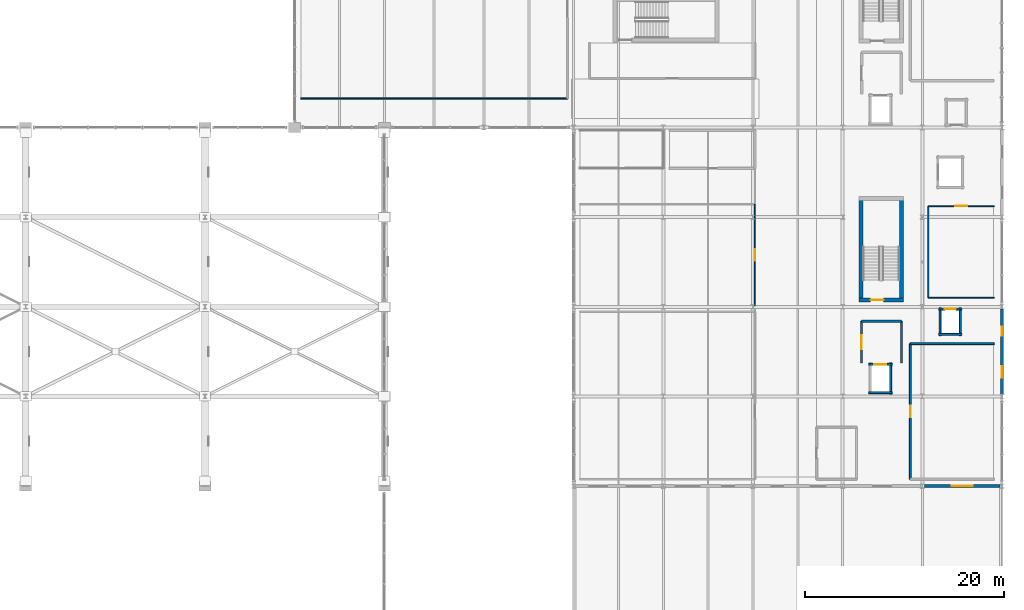
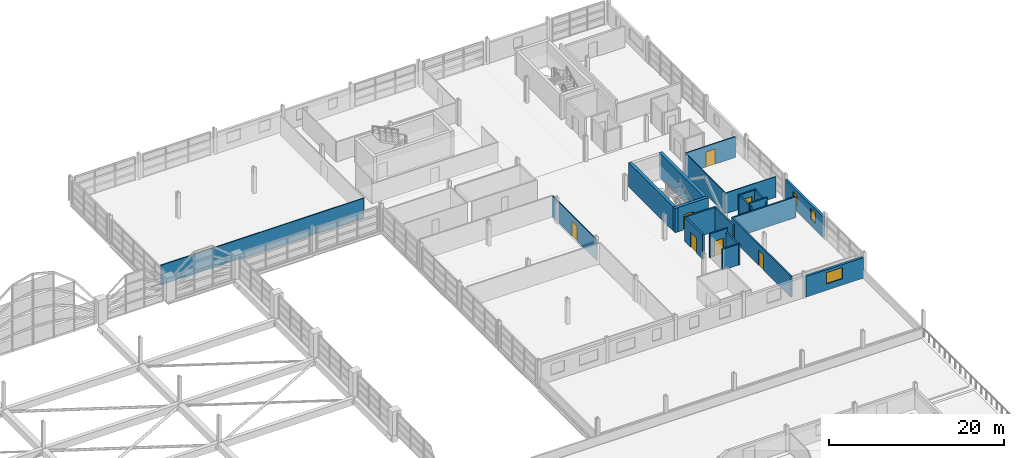
# One storey, part 101 of 116: 22 walls, 7 doors, 3 windows, 10 openings.
"""IFC4 building model written with IfcOpenShell, lengths in metres."""

from ifc_helpers import new_model, si_unit, direction, frame, frame_2d, origin, place, context, subcontext, project, spatial, rectangle, extrude, material, layer, layer_set, type_object, element, fill, save


model = new_model("IFC4")

# Units and contexts
model_context = context("Model", 3, precision=1e-05, world=origin(), true_north=direction((0.0, 1.0)))
body_context = subcontext(model_context, "Body", "Model", "MODEL_VIEW")
ifc_project = project(units=[si_unit("LENGTHUNIT", "METRE"), si_unit("AREAUNIT", "SQUARE_METRE"), si_unit("VOLUMEUNIT", "CUBIC_METRE"), si_unit("PLANEANGLEUNIT", "RADIAN"), si_unit("MASSUNIT", "GRAM", prefix="KILO")], contexts=[model_context])

# Site, building, storey
site_placement = place(None, origin())
site = spatial("IfcSite", under=ifc_project, at=site_placement, CompositionType="ELEMENT")
building_placement = place(site_placement, origin())
building = spatial("IfcBuilding", under=site, at=building_placement, Name="Chuanluo Vaults Station", CompositionType="ELEMENT")
storey_placement = place(building_placement, frame((0.0, 0.0, 10.800048828125)))
storey = spatial("IfcBuildingStorey", under=building, at=storey_placement, Name="L02", CompositionType="ELEMENT", Elevation=10.800048828125)

# Walls
ifc_material_1 = material(Name="Concrete C50", Category="concrete")
ifc_layer_1 = layer(ifc_material_1, 0.39990234375)
ifc_layer_set_1 = layer_set([ifc_layer_1], Name="Concrete C50")
wall_type_1 = type_object("IfcWallType", Name="WL-COR-400", PredefinedType="SHEAR", material=ifc_layer_set_1)
for number, where, z_axis, x_axis, name in (
    (1, (177.887451171875, 85.97509765625, 0.0), (0.0, 0.0, 1.0), (0.0, 1.0, 0.0), "Core K1 left shear wall"),
    (2, (173.867431640625, 96.572509765625, 0.0), (0.0, 0.0, 1.0), (0.0, -1.0, 0.0), "Core K1 right shear wall"),
):
    element("IfcWall", number, at=place(storey_placement, frame(where, z_axis=z_axis, x_axis=x_axis)), inside=storey, type_object=wall_type_1, Name=name, PredefinedType="SHEAR", context=body_context, shape_type="SweptSolid", body=[
        extrude(rectangle(XDim=10.597412109375, YDim=0.39990234375, at=frame_2d((5.298828125, 0.0))), origin(), (0.0, 0.0, 1.0), 3.3798828125),
    ])

# Wall, opening, door
wall_1_placement = place(storey_placement, frame((173.66748046875, 86.175048828125, 0.0), z_axis=(0.0, 0.0, 1.0), x_axis=(1.0, 0.0, 0.0)))
wall_1 = element("IfcWall", 3, at=wall_1_placement, inside=storey, type_object=wall_type_1, Name="Core K1 near shear wall", PredefinedType="SHEAR", context=body_context, shape_type="SweptSolid", body=[
    extrude(rectangle(XDim=4.419921875, YDim=0.39990234375, at=frame_2d((2.2099609375, 0.0))), origin(), (0.0, 0.0, 1.0), 3.3798828125),
])
opening_1_placement = place(wall_1_placement, frame((1.14990234375, 0.0, 0.0)))
opening_1 = element("IfcOpeningElement", 4, at=opening_1_placement, cuts=wall_1, Name="Opening FD-05", PredefinedType="OPENING", context=body_context, shape_type="SweptSolid", body=[
    extrude(rectangle(XDim=1.300048828125, YDim=2.10009765625, at=frame_2d((0.64990234375, 1.050048828125))), frame((0.0, 0.20995, 0.0), z_axis=(0.0, -1.0, 0.0), x_axis=(1.0, 0.0, 0.0)), (0.0, 0.0, 1.0), 0.4199),
])
ifc_material_2 = material(Name="Fire-rated steel leaf", Category="steel")
door_type_1 = type_object("IfcDoorType", Name="DR-FIR-1300x2100", OperationType="NOTDEFINED", PredefinedType="DOOR", material=ifc_material_2)
door_1_placement = place(opening_1_placement, origin())
door_1 = element("IfcDoor", 5, at=door_1_placement, inside=storey, type_object=door_type_1, Name="D-061 Stair ST-01 fire door", OperationType="SINGLE_SWING_RIGHT", OverallHeight=2.10009765625, OverallWidth=1.300048828125, PredefinedType="DOOR", context=body_context, shape_type="SweptSolid", body=[
    extrude(rectangle(XDim=1.300048828125, YDim=2.10009765625, at=frame_2d((0.64990234375, 1.050048828125))), frame((0.0, 0.02490234375, 0.0), z_axis=(0.0, -1.0, 0.0), x_axis=(1.0, 0.0, 0.0)), (0.0, 0.0, 1.0), 0.050048828125),
])
fill(opening_1, door_1)

# Wall, opening, window
ifc_material_3 = material(Name="Concrete C40", Category="concrete")
ifc_layer_2 = layer(ifc_material_3, 0.300048828125)
ifc_layer_set_2 = layer_set([ifc_layer_2], Name="Concrete C40")
wall_type_2 = type_object("IfcWallType", Name="WL-EXT-300", PredefinedType="SOLIDWALL", material=ifc_layer_set_2)
wall_2_placement = place(storey_placement, frame((187.800048828125, 67.5, 0.0), z_axis=(0.0, 0.0, 1.0), x_axis=(-1.0, 0.0, 0.0)))
wall_2 = element("IfcWall", 6, at=wall_2_placement, inside=storey, type_object=wall_type_2, Name="L02 exterior punched wall 06", PredefinedType="SOLIDWALL", context=body_context, shape_type="SweptSolid", body=[
    extrude(rectangle(XDim=7.60009765625, YDim=0.300048828125, at=frame_2d((3.800048828125, 0.0))), origin(), (0.0, 0.0, 1.0), 2.89501953125),
])
opening_2_placement = place(wall_2_placement, frame((2.75, 0.0, 0.89990234375)))
opening_2 = element("IfcOpeningElement", 7, at=opening_2_placement, cuts=wall_2, Name="Opening W-07", PredefinedType="OPENING", context=body_context, shape_type="SweptSolid", body=[
    extrude(rectangle(XDim=2.10009765625, YDim=1.60009765625, at=frame_2d((1.050048828125, 0.800048828125))), frame((0.0, 0.1599, 0.0), z_axis=(0.0, -1.0, 0.0), x_axis=(1.0, 0.0, 0.0)), (0.0, 0.0, 1.0), 0.32005),
])
ifc_material_4 = material(Name="Double-silver Low-E laminated glass", Category="glass")
window_type_1 = type_object("IfcWindowType", Name="WN-OPS-2100x1600", PartitioningType="SINGLE_PANEL", PredefinedType="WINDOW", material=ifc_material_4)
window_1_placement = place(opening_2_placement, origin())
window_1 = element("IfcWindow", 8, at=window_1_placement, inside=storey, type_object=window_type_1, Name="W-072 L02 facade window", OverallHeight=1.60009765625, OverallWidth=2.10009765625, PartitioningType="SINGLE_PANEL", PredefinedType="WINDOW", context=body_context, shape_type="SweptSolid", body=[
    extrude(rectangle(XDim=2.10009765625, YDim=1.60009765625, at=frame_2d((1.050048828125, 0.800048828125))), frame((0.0, 0.030029296875, 0.0), z_axis=(0.0, -1.0, 0.0), x_axis=(1.0, 0.0, 0.0)), (0.0, 0.0, 1.0), 0.06005859375),
])
fill(opening_2, window_1)

# Wall, openings, windows
wall_3_placement = place(storey_placement, frame((188.0, 85.2958984375, 0.0), z_axis=(0.0, 0.0, 1.0), x_axis=(0.0, -1.0, 0.0)))
wall_3 = element("IfcWall", 9, at=wall_3_placement, inside=storey, type_object=wall_type_2, Name="L02 exterior punched wall 14", PredefinedType="SOLIDWALL", context=body_context, shape_type="SweptSolid", body=[
    extrude(rectangle(XDim=8.591796875, YDim=0.300048828125, at=frame_2d((4.2958984375, 0.0))), origin(), (0.0, 0.0, 1.0), 2.89501953125),
])
opening_3_placement = place(wall_3_placement, frame((1.81103515625, 0.0, 0.89990234375)))
opening_3 = element("IfcOpeningElement", 10, at=opening_3_placement, cuts=wall_3, Name="Opening W-15", PredefinedType="OPENING", context=body_context, shape_type="SweptSolid", body=[
    extrude(rectangle(XDim=0.89990234375, YDim=1.39990234375, at=frame_2d((0.449951171875, 0.699951171875))), frame((0.0, 0.1599, 0.0), z_axis=(0.0, -1.0, 0.0), x_axis=(1.0, 0.0, 0.0)), (0.0, 0.0, 1.0), 0.32005),
])
opening_4_placement = place(wall_3_placement, frame((5.756103515625, 0.0, 0.89990234375)))
opening_4 = element("IfcOpeningElement", 11, at=opening_4_placement, cuts=wall_3, Name="Opening W-49", PredefinedType="OPENING", context=body_context, shape_type="SweptSolid", body=[
    extrude(rectangle(XDim=1.14990234375, YDim=1.449951171875, at=frame_2d((0.574951171875, 0.72509765625))), frame((0.0, 0.1599, 0.0), z_axis=(0.0, -1.0, 0.0), x_axis=(1.0, 0.0, 0.0)), (0.0, 0.0, 1.0), 0.32005),
])
ifc_material_5 = material(Name="Double-silver Low-E laminated glass", Category="glass")
window_type_2 = type_object("IfcWindowType", Name="WN-OPS-0900x1400", PartitioningType="SINGLE_PANEL", PredefinedType="WINDOW", material=ifc_material_5)
window_2_placement = place(opening_3_placement, origin())
window_2 = element("IfcWindow", 12, at=window_2_placement, inside=storey, type_object=window_type_2, Name="W-085 L02 facade window", OverallHeight=1.39990234375, OverallWidth=0.89990234375, PartitioningType="SINGLE_PANEL", PredefinedType="WINDOW", context=body_context, shape_type="SweptSolid", body=[
    extrude(rectangle(XDim=0.89990234375, YDim=1.39990234375, at=frame_2d((0.449951171875, 0.699951171875))), frame((0.0, 0.030029296875, 0.0), z_axis=(0.0, -1.0, 0.0), x_axis=(1.0, 0.0, 0.0)), (0.0, 0.0, 1.0), 0.06005859375),
])
fill(opening_3, window_2)
ifc_material_6 = material(Name="Double-silver Low-E laminated glass", Category="glass")
window_type_3 = type_object("IfcWindowType", Name="WN-OPS-1150x1450", PartitioningType="SINGLE_PANEL", PredefinedType="WINDOW", material=ifc_material_6)
window_3_placement = place(opening_4_placement, origin())
window_3 = element("IfcWindow", 13, at=window_3_placement, inside=storey, type_object=window_type_3, Name="W-086 L02 facade window", OverallHeight=1.449951171875, OverallWidth=1.14990234375, PartitioningType="SINGLE_PANEL", PredefinedType="WINDOW", context=body_context, shape_type="SweptSolid", body=[
    extrude(rectangle(XDim=1.14990234375, YDim=1.449951171875, at=frame_2d((0.574951171875, 0.72509765625))), frame((0.0, 0.030029296875, 0.0), z_axis=(0.0, -1.0, 0.0), x_axis=(1.0, 0.0, 0.0)), (0.0, 0.0, 1.0), 0.06005859375),
])
fill(opening_4, window_3)

# Wall
ifc_material_7 = material(Name="Concrete C40", Category="concrete")
ifc_layer_3 = layer(ifc_material_7, 0.219970703125)
ifc_layer_set_3 = layer_set([ifc_layer_3], Name="Concrete C40")
wall_type_3 = type_object("IfcWallType", Name="WL-FIR-220", PredefinedType="SOLIDWALL", material=ifc_layer_set_3)
wall_4_placement = place(storey_placement, frame((173.89990234375, 84.050048828125, 0.0), z_axis=(0.0, 0.0, 1.0), x_axis=(1.0, 0.0, 0.0)))
element("IfcWall", 14, at=wall_4_placement, inside=storey, type_object=wall_type_3, Name="L02-FFL-K1 Firefighting Lift Lobby FFL-01 L02 N partition", PredefinedType="SOLIDWALL", context=body_context, shape_type="SweptSolid", body=[
    extrude(rectangle(XDim=4.0, YDim=0.219970703125, at=frame_2d((2.0, 0.0))), origin(), (0.0, 0.0, 1.0), 3.35498046875),
])

# Wall, opening, door
wall_5_placement = place(storey_placement, frame((173.89990234375, 79.85009765625, 0.0), z_axis=(0.0, 0.0, 1.0), x_axis=(0.0, 1.0, 0.0)))
wall_5 = element("IfcWall", 15, at=wall_5_placement, inside=storey, type_object=wall_type_3, Name="L02-FFL-K1 Firefighting Lift Lobby FFL-01 L02 W partition", PredefinedType="SOLIDWALL", context=body_context, shape_type="SweptSolid", body=[
    extrude(rectangle(XDim=4.199951171875, YDim=0.219970703125, at=frame_2d((2.10009765625, 0.0))), origin(), (0.0, 0.0, 1.0), 3.35498046875),
])
opening_5_placement = place(wall_5_placement, frame((1.39990234375, 0.0, 0.0)))
opening_5 = element("IfcOpeningElement", 16, at=opening_5_placement, cuts=wall_5, Name="Opening FD-04", PredefinedType="OPENING", context=body_context, shape_type="SweptSolid", body=[
    extrude(rectangle(XDim=1.39990234375, YDim=2.10009765625, at=frame_2d((0.699951171875, 1.050048828125))), frame((0.0, 0.11986, 0.0), z_axis=(0.0, -1.0, 0.0), x_axis=(1.0, 0.0, 0.0)), (0.0, 0.0, 1.0), 0.23997),
])
ifc_material_8 = material(Name="Fire-rated steel leaf", Category="steel")
door_type_2 = type_object("IfcDoorType", Name="DR-FIR-1400x2100", OperationType="NOTDEFINED", PredefinedType="DOOR", material=ifc_material_8)
door_2_placement = place(opening_5_placement, origin())
door_2 = element("IfcDoor", 17, at=door_2_placement, inside=storey, type_object=door_type_2, Name="D-270 Firefighting Lift Lobby FFL-01 L02 door", OperationType="SINGLE_SWING_LEFT", OverallHeight=2.10009765625, OverallWidth=1.39990234375, PredefinedType="DOOR", context=body_context, shape_type="SweptSolid", body=[
    extrude(rectangle(XDim=1.39990234375, YDim=2.10009765625, at=frame_2d((0.699951171875, 1.050048828125))), frame((0.0, 0.02490234375, 0.0), z_axis=(0.0, -1.0, 0.0), x_axis=(1.0, 0.0, 0.0)), (0.0, 0.0, 1.0), 0.050048828125),
])
fill(opening_5, door_2)

# Wall
wall_6_placement = place(storey_placement, frame((177.89990234375, 84.050048828125, 0.0), z_axis=(0.0, 0.0, 1.0), x_axis=(0.0, -1.0, 0.0)))
element("IfcWall", 18, at=wall_6_placement, inside=storey, type_object=wall_type_3, Name="L02-FFL-K1 Firefighting Lift Lobby FFL-01 L02 E partition", PredefinedType="SOLIDWALL", context=body_context, shape_type="SweptSolid", body=[
    extrude(rectangle(XDim=4.199951171875, YDim=0.219970703125, at=frame_2d((2.10009765625, 0.0))), origin(), (0.0, 0.0, 1.0), 3.35498046875),
])

# Wall, opening, door
ifc_material_9 = material(Name="Masonry blockwork M10", Category="masonry")
ifc_layer_4 = layer(ifc_material_9, 0.110107421875)
ifc_layer_set_4 = layer_set([ifc_layer_4], Name="Masonry blockwork M10")
wall_type_4 = type_object("IfcWallType", Name="WL-PRT-110", PredefinedType="PARTITIONING", material=ifc_layer_set_4)
wall_7_placement = place(storey_placement, frame((163.199951171875, 95.800048828125, 0.0), z_axis=(0.0, 0.0, 1.0), x_axis=(0.0, -1.0, 0.0)))
wall_7 = element("IfcWall", 19, at=wall_7_placement, inside=storey, type_object=wall_type_4, Name="L02-12 Conductor Locker and Shower Suite E partition", PredefinedType="PARTITIONING", context=body_context, shape_type="SweptSolid", body=[
    extrude(rectangle(XDim=10.199951171875, YDim=0.110107421875, at=frame_2d((5.10009765625, 0.0))), origin(), (0.0, 0.0, 1.0), 2.9150390625),
])
opening_6_placement = place(wall_7_placement, frame((4.52490234375, 0.0, 0.0)))
opening_6 = element("IfcOpeningElement", 20, at=opening_6_placement, cuts=wall_7, Name="Opening D-I06", PredefinedType="OPENING", context=body_context, shape_type="SweptSolid", body=[
    extrude(rectangle(XDim=1.14990234375, YDim=2.10009765625, at=frame_2d((0.574951171875, 1.050048828125))), frame((0.0, 0.06518, 0.0), z_axis=(0.0, -1.0, 0.0), x_axis=(1.0, 0.0, 0.0)), (0.0, 0.0, 1.0), 0.13011),
])
ifc_material_10 = material(Name="Anodised aluminium 6063-T6", Category="aluminium")
door_type_3 = type_object("IfcDoorType", Name="DR-INT-1150x2100", OperationType="NOTDEFINED", PredefinedType="DOOR", material=ifc_material_10)
door_3_placement = place(opening_6_placement, origin())
door_3 = element("IfcDoor", 21, at=door_3_placement, inside=storey, type_object=door_type_3, Name="D-209 Conductor Locker and Shower Suite door", OperationType="SINGLE_SWING_RIGHT", OverallHeight=2.10009765625, OverallWidth=1.14990234375, PredefinedType="DOOR", context=body_context, shape_type="SweptSolid", body=[
    extrude(rectangle(XDim=1.14990234375, YDim=2.10009765625, at=frame_2d((0.574951171875, 1.050048828125))), frame((0.0, 0.02490234375, 0.0), z_axis=(0.0, -1.0, 0.0), x_axis=(1.0, 0.0, 0.0)), (0.0, 0.0, 1.0), 0.050048828125),
])
fill(opening_6, door_3)

# Wall
wall_8_placement = place(storey_placement, frame((187.199951171875, 86.39990234375, 0.0), z_axis=(0.0, 0.0, 1.0), x_axis=(-1.0, 0.0, 0.0)))
element("IfcWall", 22, at=wall_8_placement, inside=storey, type_object=wall_type_4, Name="L02-21 East Operations Archive Room S partition", PredefinedType="PARTITIONING", context=body_context, shape_type="SweptSolid", body=[
    extrude(rectangle(XDim=6.599853515625, YDim=0.110107421875, at=frame_2d((3.2998046875, 0.0))), origin(), (0.0, 0.0, 1.0), 2.89501953125),
])

# Wall, opening, door
wall_9_placement = place(storey_placement, frame((180.60009765625, 95.60009765625, 0.0), z_axis=(0.0, 0.0, 1.0), x_axis=(1.0, 0.0, 0.0)))
wall_9 = element("IfcWall", 23, at=wall_9_placement, inside=storey, type_object=wall_type_4, Name="L02-21 East Operations Archive Room N partition", PredefinedType="PARTITIONING", context=body_context, shape_type="SweptSolid", body=[
    extrude(rectangle(XDim=6.599853515625, YDim=0.110107421875, at=frame_2d((3.2998046875, 0.0))), origin(), (0.0, 0.0, 1.0), 2.89501953125),
])
opening_7_placement = place(wall_9_placement, frame((2.699951171875, 0.0, 0.0)))
opening_7 = element("IfcOpeningElement", 24, at=opening_7_placement, cuts=wall_9, Name="Opening FD-06", PredefinedType="OPENING", context=body_context, shape_type="SweptSolid", body=[
    extrude(rectangle(XDim=1.199951171875, YDim=2.10009765625, at=frame_2d((0.60009765625, 1.050048828125))), frame((0.0, 0.06518, 0.0), z_axis=(0.0, -1.0, 0.0), x_axis=(1.0, 0.0, 0.0)), (0.0, 0.0, 1.0), 0.13011),
])
ifc_material_11 = material(Name="Fire-rated steel leaf", Category="steel")
door_type_4 = type_object("IfcDoorType", Name="DR-FIR-1200x2100", OperationType="NOTDEFINED", PredefinedType="DOOR", material=ifc_material_11)
door_4_placement = place(opening_7_placement, origin())
door_4 = element("IfcDoor", 25, at=door_4_placement, inside=storey, type_object=door_type_4, Name="D-215 East Operations Archive Room door", OperationType="SINGLE_SWING_RIGHT", OverallHeight=2.10009765625, OverallWidth=1.199951171875, PredefinedType="DOOR", context=body_context, shape_type="SweptSolid", body=[
    extrude(rectangle(XDim=1.199951171875, YDim=2.10009765625, at=frame_2d((0.60009765625, 1.050048828125))), frame((0.0, 0.02490234375, 0.0), z_axis=(0.0, -1.0, 0.0), x_axis=(1.0, 0.0, 0.0)), (0.0, 0.0, 1.0), 0.050048828125),
])
fill(opening_7, door_4)

# Walls
wall_10_placement = place(storey_placement, frame((180.60009765625, 86.39990234375, 0.0), z_axis=(0.0, 0.0, 1.0), x_axis=(0.0, 1.0, 0.0)))
element("IfcWall", 26, at=wall_10_placement, inside=storey, type_object=wall_type_4, Name="L02-21 East Operations Archive Room W partition", PredefinedType="PARTITIONING", context=body_context, shape_type="SweptSolid", body=[
    extrude(rectangle(XDim=9.2001953125, YDim=0.110107421875, at=frame_2d((4.60009765625, 0.0))), origin(), (0.0, 0.0, 1.0), 2.9150390625),
])
ifc_material_12 = material(Name="Masonry blockwork M10", Category="masonry")
ifc_layer_5 = layer(ifc_material_12, 0.1298828125)
ifc_layer_set_5 = layer_set([ifc_layer_5], Name="Masonry blockwork M10")
wall_type_5 = type_object("IfcWallType", Name="WL-PRT-130", PredefinedType="PARTITIONING", material=ifc_layer_set_5)
wall_11_placement = place(storey_placement, frame((144.39990234375, 106.39990234375, 0.0), z_axis=(0.0, 0.0, 1.0), x_axis=(-1.0, 0.0, 0.0)))
element("IfcWall", 27, at=wall_11_placement, inside=storey, type_object=wall_type_5, Name="L02-10 Train Crew Briefing Hall S partition", PredefinedType="PARTITIONING", context=body_context, shape_type="SweptSolid", body=[
    extrude(rectangle(XDim=26.7998046875, YDim=0.1298828125, at=frame_2d((13.39990234375, 0.0))), origin(), (0.0, 0.0, 1.0), 2.7548828125),
])
ifc_material_13 = material(Name="Autoclaved aerated concrete blockwork MU10", Category="masonry")
ifc_layer_6 = layer(ifc_material_13, 0.18994140625)
ifc_layer_set_6 = layer_set([ifc_layer_6], Name="Autoclaved aerated concrete blockwork MU10")
wall_type_6 = type_object("IfcWallType", Name="WL-PRT-190", PredefinedType="PARTITIONING", material=ifc_layer_set_6)
wall_12_placement = place(storey_placement, frame((178.800048828125, 81.800048828125, 0.0), z_axis=(0.0, 0.0, 1.0), x_axis=(1.0, 0.0, 0.0)))
element("IfcWall", 28, at=wall_12_placement, inside=storey, type_object=wall_type_6, Name="L02-23 East Operations Dispatch Office N partition", PredefinedType="PARTITIONING", context=body_context, shape_type="SweptSolid", body=[
    extrude(rectangle(XDim=8.39990234375, YDim=0.18994140625, at=frame_2d((4.199951171875, 0.0))), origin(), (0.0, 0.0, 1.0), 2.89501953125),
])

# Wall, opening, door
wall_13_placement = place(storey_placement, frame((178.800048828125, 68.199951171875, 0.0), z_axis=(0.0, 0.0, 1.0), x_axis=(0.0, 1.0, 0.0)))
wall_13 = element("IfcWall", 29, at=wall_13_placement, inside=storey, type_object=wall_type_6, Name="L02-23 East Operations Dispatch Office W partition", PredefinedType="PARTITIONING", context=body_context, shape_type="SweptSolid", body=[
    extrude(rectangle(XDim=13.60009765625, YDim=0.18994140625, at=frame_2d((6.800048828125, 0.0))), origin(), (0.0, 0.0, 1.0), 2.9150390625),
])
opening_8_placement = place(wall_13_placement, frame((6.22509765625, 0.0, 0.0)))
opening_8 = element("IfcOpeningElement", 30, at=opening_8_placement, cuts=wall_13, Name="Opening D-I06", PredefinedType="OPENING", context=body_context, shape_type="SweptSolid", body=[
    extrude(rectangle(XDim=1.14990234375, YDim=2.10009765625, at=frame_2d((0.574951171875, 1.050048828125))), frame((0.0, 0.10497, 0.0), z_axis=(0.0, -1.0, 0.0), x_axis=(1.0, 0.0, 0.0)), (0.0, 0.0, 1.0), 0.20994),
])
door_5_placement = place(opening_8_placement, origin())
door_5 = element("IfcDoor", 31, at=door_5_placement, inside=storey, type_object=door_type_3, Name="D-217 East Operations Dispatch Office door", OperationType="SINGLE_SWING_RIGHT", OverallHeight=2.10009765625, OverallWidth=1.14990234375, PredefinedType="DOOR", context=body_context, shape_type="SweptSolid", body=[
    extrude(rectangle(XDim=1.14990234375, YDim=2.10009765625, at=frame_2d((0.574951171875, 1.050048828125))), frame((0.0, 0.02490234375, 0.0), z_axis=(0.0, -1.0, 0.0), x_axis=(1.0, 0.0, 0.0)), (0.0, 0.0, 1.0), 0.050048828125),
])
fill(opening_8, door_5)

# Wall
ifc_material_14 = material(Name="Concrete C40", Category="concrete")
ifc_layer_7 = layer(ifc_material_14, 0.199951171875)
ifc_layer_set_7 = layer_set([ifc_layer_7], Name="Concrete C40")
wall_type_7 = type_object("IfcWallType", Name="WL-SHF-200", PredefinedType="SOLIDWALL", material=ifc_layer_set_7)
wall_14_placement = place(storey_placement, frame((174.6298828125, 76.8798828125, 0.0), z_axis=(0.0, 0.0, 1.0), x_axis=(1.0, 0.0, 0.0)))
element("IfcWall", 32, at=wall_14_placement, inside=storey, type_object=wall_type_7, Name="Lift FFL-01 shaft wall L02 -Y", PredefinedType="SOLIDWALL", context=body_context, shape_type="SweptSolid", body=[
    extrude(rectangle(XDim=2.340087890625, YDim=0.199951171875, at=frame_2d((1.169921875, 0.0))), origin(), (0.0, 0.0, 1.0), 2.9150390625),
])

# Wall, opening, door
wall_15_placement = place(storey_placement, frame((176.969970703125, 79.719970703125, 0.0), z_axis=(0.0, 0.0, 1.0), x_axis=(-1.0, 0.0, 0.0)))
wall_15 = element("IfcWall", 33, at=wall_15_placement, inside=storey, type_object=wall_type_7, Name="Lift FFL-01 shaft wall L02 +Y", PredefinedType="SOLIDWALL", context=body_context, shape_type="SweptSolid", body=[
    extrude(rectangle(XDim=2.340087890625, YDim=0.199951171875, at=frame_2d((1.169921875, 0.0))), origin(), (0.0, 0.0, 1.0), 3.35498046875),
])
opening_9_placement = place(wall_15_placement, frame((0.570068359375, 0.0, 0.0)))
opening_9 = element("IfcOpeningElement", 34, at=opening_9_placement, cuts=wall_15, Name="Opening LD-02", PredefinedType="OPENING", context=body_context, shape_type="SweptSolid", body=[
    extrude(rectangle(XDim=1.199951171875, YDim=2.14990234375, at=frame_2d((0.60009765625, 1.074951171875))), frame((0.0, 0.1101, 0.0), z_axis=(0.0, -1.0, 0.0), x_axis=(1.0, 0.0, 0.0)), (0.0, 0.0, 1.0), 0.21995),
])
ifc_material_15 = material(Name="Brushed stainless steel 304", Category="steel")
door_type_5 = type_object("IfcDoorType", Name="DR-LFT-1200x2150", OperationType="SLIDING_TO_LEFT", PredefinedType="DOOR", material=ifc_material_15)
door_6_placement = place(opening_9_placement, origin())
door_6 = element("IfcDoor", 35, at=door_6_placement, inside=storey, type_object=door_type_5, Name="LD-FFL-01-04 Lift FFL-01 sliding landing door L02", OperationType="SLIDING_TO_LEFT", OverallHeight=2.14990234375, OverallWidth=1.199951171875, PredefinedType="DOOR", context=body_context, shape_type="SweptSolid", body=[
    extrude(rectangle(XDim=1.199951171875, YDim=2.14990234375, at=frame_2d((0.60009765625, 1.074951171875))), frame((0.0, 0.02490234375, 0.0), z_axis=(0.0, -1.0, 0.0), x_axis=(1.0, 0.0, 0.0)), (0.0, 0.0, 1.0), 0.050048828125),
])
fill(opening_9, door_6)

# Walls
wall_16_placement = place(storey_placement, frame((176.820068359375, 76.72998046875, 0.0), z_axis=(0.0, 0.0, 1.0), x_axis=(0.0, 1.0, 0.0)))
element("IfcWall", 36, at=wall_16_placement, inside=storey, type_object=wall_type_7, Name="Lift FFL-01 shaft wall L02 +X", PredefinedType="SOLIDWALL", context=body_context, shape_type="SweptSolid", body=[
    extrude(rectangle(XDim=3.14013671875, YDim=0.199951171875, at=frame_2d((1.570068359375, 0.0))), origin(), (0.0, 0.0, 1.0), 2.9150390625),
])
wall_17_placement = place(storey_placement, frame((181.6298828125, 82.72998046875, 0.0), z_axis=(0.0, 0.0, 1.0), x_axis=(1.0, 0.0, 0.0)))
element("IfcWall", 37, at=wall_17_placement, inside=storey, type_object=wall_type_7, Name="Lift EL-03 shaft wall L02 -Y", PredefinedType="SOLIDWALL", context=body_context, shape_type="SweptSolid", body=[
    extrude(rectangle(XDim=2.340087890625, YDim=0.199951171875, at=frame_2d((1.169921875, 0.0))), origin(), (0.0, 0.0, 1.0), 3.35498046875),
])

# Wall, opening, door
wall_18_placement = place(storey_placement, frame((183.969970703125, 85.27001953125, 0.0), z_axis=(0.0, 0.0, 1.0), x_axis=(-1.0, 0.0, 0.0)))
wall_18 = element("IfcWall", 38, at=wall_18_placement, inside=storey, type_object=wall_type_7, Name="Lift EL-03 shaft wall L02 +Y", PredefinedType="SOLIDWALL", context=body_context, shape_type="SweptSolid", body=[
    extrude(rectangle(XDim=2.340087890625, YDim=0.199951171875, at=frame_2d((1.169921875, 0.0))), origin(), (0.0, 0.0, 1.0), 2.9150390625),
])
opening_10_placement = place(wall_18_placement, frame((0.6201171875, 0.0, 0.0)))
opening_10 = element("IfcOpeningElement", 39, at=opening_10_placement, cuts=wall_18, Name="Opening LD-01", PredefinedType="OPENING", context=body_context, shape_type="SweptSolid", body=[
    extrude(rectangle(XDim=1.10009765625, YDim=2.14990234375, at=frame_2d((0.550048828125, 1.074951171875))), frame((0.0, 0.1101, 0.0), z_axis=(0.0, -1.0, 0.0), x_axis=(1.0, 0.0, 0.0)), (0.0, 0.0, 1.0), 0.21995),
])
ifc_material_16 = material(Name="Brushed stainless steel 304", Category="steel")
door_type_6 = type_object("IfcDoorType", Name="DR-LFT-1100x2150", OperationType="SLIDING_TO_LEFT", PredefinedType="DOOR", material=ifc_material_16)
door_7_placement = place(opening_10_placement, origin())
door_7 = element("IfcDoor", 40, at=door_7_placement, inside=storey, type_object=door_type_6, Name="LD-EL-03-04 Lift EL-03 sliding landing door L02", OperationType="SLIDING_TO_LEFT", OverallHeight=2.14990234375, OverallWidth=1.10009765625, PredefinedType="DOOR", context=body_context, shape_type="SweptSolid", body=[
    extrude(rectangle(XDim=1.10009765625, YDim=2.14990234375, at=frame_2d((0.550048828125, 1.074951171875))), frame((0.0, 0.02490234375, 0.0), z_axis=(0.0, -1.0, 0.0), x_axis=(1.0, 0.0, 0.0)), (0.0, 0.0, 1.0), 0.050048828125),
])
fill(opening_10, door_7)

# Walls
for number, where, z_axis, x_axis, name in (
    (41, (181.780029296875, 85.419921875, 0.0), (0.0, 0.0, 1.0), (0.0, -1.0, 0.0), "Lift EL-03 shaft wall L02 -X"),
    (42, (183.820068359375, 82.580078125, 0.0), (0.0, 0.0, 1.0), (0.0, 1.0, 0.0), "Lift EL-03 shaft wall L02 +X"),
):
    element("IfcWall", number, at=place(storey_placement, frame(where, z_axis=z_axis, x_axis=x_axis)), inside=storey, type_object=wall_type_7, Name=name, PredefinedType="SOLIDWALL", context=body_context, shape_type="SweptSolid", body=[
        extrude(rectangle(XDim=2.83984375, YDim=0.199951171875, at=frame_2d((1.419921875, 0.0))), origin(), (0.0, 0.0, 1.0), 2.9150390625),
    ])

save(model, "model.ifc")
